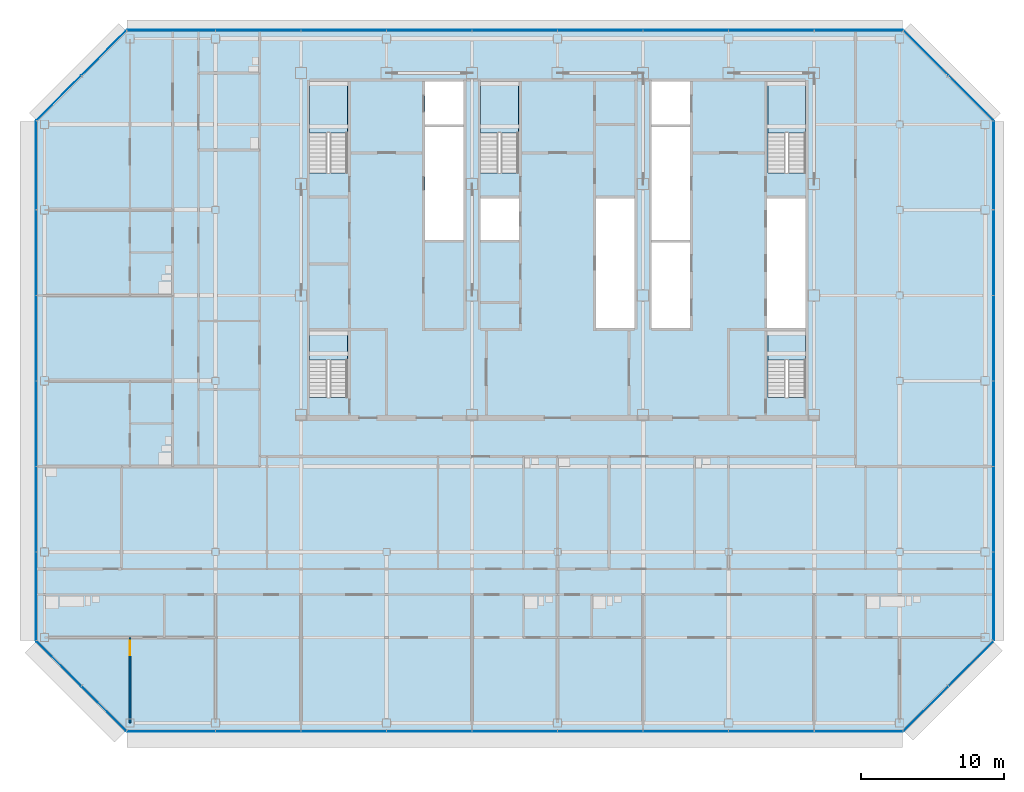
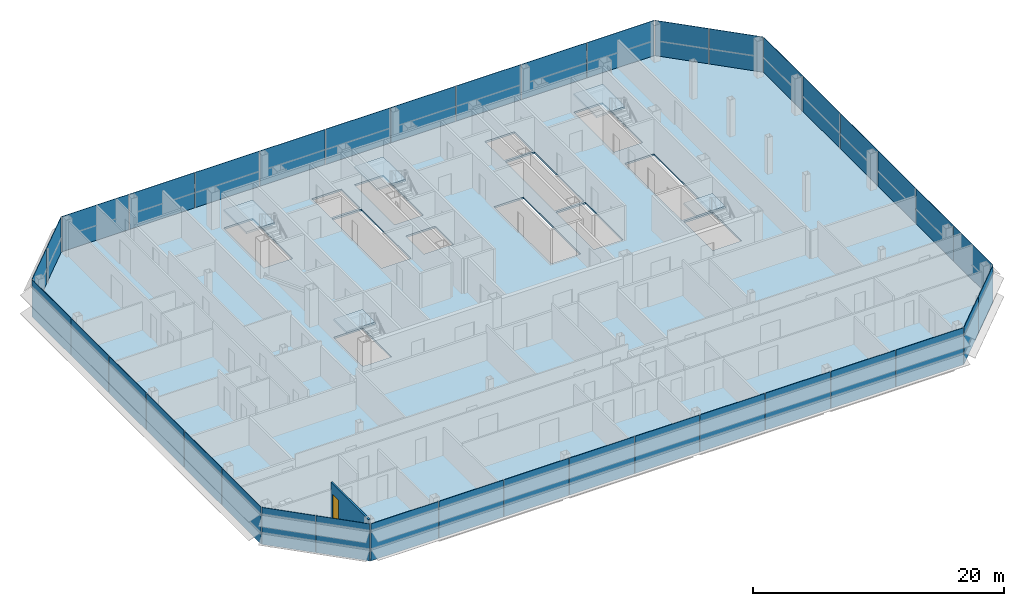
# One storey, part 20 of 28: 38 plates, 6 slabs, 1 door, 1 wall, 1 opening, 13 elements without a shape of their own.
"""IFC4 building model written with IfcOpenShell, lengths in metres."""

from ifc_helpers import new_model, si_unit, direction, frame, frame_2d, origin, origin_2d, place, context, subcontext, project, spatial, polyline, rectangle, outline, extrude, material, layer, layer_set, type_object, element, fill, aggregate, save


model = new_model("IFC4")

# Units and contexts
model_context = context("Model", 3, precision=1e-05, world=origin(), true_north=direction((0.0, 1.0)))
body_context = subcontext(model_context, "Body", "Model", "MODEL_VIEW")
ifc_project = project(units=[si_unit("LENGTHUNIT", "METRE"), si_unit("AREAUNIT", "SQUARE_METRE"), si_unit("VOLUMEUNIT", "CUBIC_METRE"), si_unit("PLANEANGLEUNIT", "RADIAN"), si_unit("MASSUNIT", "GRAM", prefix="KILO")], contexts=[model_context])

# Site, building, storey
site_placement = place(None, origin())
site = spatial("IfcSite", under=ifc_project, at=site_placement, CompositionType="ELEMENT")
building_placement = place(site_placement, origin())
building = spatial("IfcBuilding", under=site, at=building_placement, Name="Sorahane Residences", CompositionType="ELEMENT")
storey_placement = place(building_placement, frame((0.0, 0.0, 273.800048828125)))
storey = spatial("IfcBuildingStorey", under=building, at=storey_placement, Name="L65", CompositionType="ELEMENT", Elevation=273.800048828125)

# Slab
ifc_material_1 = material(Name="Concrete C35", Category="concrete")
ifc_layer_1 = layer(ifc_material_1, 0.179931640625)
ifc_layer_set_1 = layer_set([ifc_layer_1], Name="Composite floor slab 180 mm Concrete C35")
slab_type_1 = type_object("IfcSlabType", Name="Composite floor slab 180 mm Concrete C35", PredefinedType="FLOOR", material=ifc_layer_set_1)
slab_1_placement = place(storey_placement, frame((0.0, 0.0, -0.179931640625)))
element("IfcSlab", 1, at=slab_1_placement, inside=storey, type_object=slab_type_1, Name="Slab L65", PredefinedType="FLOOR", context=body_context, shape_type="SweptSolid", body=[
    extrude(outline(polyline([(-6.24853515625, -0.60009765625), (-12.60009765625, 5.75146484375), (-12.60009765625, 42.24853515625), (-6.24853515625, 48.60009765625), (48.24853515625, 48.60009765625), (54.60009765625, 42.24853515625), (54.60009765625, 5.75146484375), (48.24853515625, -0.60009765625), (-6.24853515625, -0.60009765625)]), holes=[polyline([(38.699951171875, 27.699951171875), (41.39990234375, 27.699951171875), (41.39990234375, 36.800048828125), (38.699951171875, 36.800048828125), (38.699951171875, 27.699951171875)]), polyline([(30.60009765625, 27.699951171875), (33.300048828125, 27.699951171875), (33.300048828125, 33.699951171875), (30.60009765625, 33.699951171875), (30.60009765625, 27.699951171875)]), polyline([(30.60009765625, 42.0), (33.300048828125, 42.0), (33.300048828125, 45.0), (30.60009765625, 45.0), (30.60009765625, 42.0)]), polyline([(14.699951171875, 42.0), (17.39990234375, 42.0), (17.39990234375, 45.0), (14.699951171875, 45.0), (14.699951171875, 42.0)]), polyline([(9.25, 38.60009765625), (9.25, 45.0), (6.60009765625, 45.0), (6.60009765625, 38.60009765625), (9.25, 38.60009765625)]), polyline([(41.39990234375, 38.60009765625), (41.39990234375, 45.0), (38.75, 45.0), (38.75, 38.60009765625), (41.39990234375, 38.60009765625)]), polyline([(21.25, 38.60009765625), (21.25, 45.0), (18.60009765625, 45.0), (18.60009765625, 38.60009765625), (21.25, 38.60009765625)]), polyline([(9.25, 22.85009765625), (9.25, 27.5), (6.60009765625, 27.5), (6.60009765625, 22.85009765625), (9.25, 22.85009765625)]), polyline([(41.39990234375, 22.85009765625), (41.39990234375, 27.5), (38.75, 27.5), (38.75, 22.85009765625), (41.39990234375, 22.85009765625)]), polyline([(14.699951171875, 33.89990234375), (17.39990234375, 33.89990234375), (17.39990234375, 41.800048828125), (14.699951171875, 41.800048828125), (14.699951171875, 33.89990234375)]), polyline([(30.60009765625, 33.89990234375), (33.300048828125, 33.89990234375), (33.300048828125, 41.800048828125), (30.60009765625, 41.800048828125), (30.60009765625, 33.89990234375)]), polyline([(18.60009765625, 33.89990234375), (21.300048828125, 33.89990234375), (21.300048828125, 36.800048828125), (18.60009765625, 36.800048828125), (18.60009765625, 33.89990234375)]), polyline([(26.699951171875, 27.699951171875), (29.39990234375, 27.699951171875), (29.39990234375, 36.800048828125), (26.699951171875, 36.800048828125), (26.699951171875, 27.699951171875)])]), origin(), (0.0, 0.0, 1.0), 0.179931640625),
])

# Curtain wall, plates
ifc_material_2 = material(Name="Dark low-e glass and black anodised aluminium", Category="aluminium")
curtain_wall_type_1 = type_object("IfcCurtainWallType", Name="Curtain wall CW-1 Typical unitised wall", PredefinedType="NOTDEFINED", material=ifc_material_2)
curtain_wall_1_placement = place(storey_placement, origin())
curtain_wall_1 = element("IfcCurtainWall", 2, at=curtain_wall_1_placement, inside=storey, type_object=curtain_wall_type_1, Name="CW-1 curtain wall L65 S1", PredefinedType="NOTDEFINED")
ifc_material_3 = material(Name="Dark low-e glass with black ceramic frit", Category="glass")
ifc_layer_2 = layer(ifc_material_3, 0.0400390625)
ifc_layer_set_2 = layer_set([ifc_layer_2], Name="Curtain wall glass panel dark low-e with black frit spandrel band")
plate_type = type_object("IfcPlateType", Name="Curtain wall glass panel dark low-e with black frit spandrel band", PredefinedType="CURTAIN_PANEL", material=ifc_layer_set_2)
plate_1_placement = place(storey_placement, frame((-3.11181640625, -0.60009765625, -0.18017578125), z_axis=(0.0, 0.0, 1.0), x_axis=(1.0, 0.0, 0.0)))
plate_1 = element("IfcPlate", 3, at=plate_1_placement, type_object=plate_type, Name="CW-1 glass panel L65 S1.1", PredefinedType="CURTAIN_PANEL", context=body_context, shape_type="SweptSolid", body=[
    extrude(rectangle(XDim=6.173583984375, YDim=0.0400390625, at=origin_2d()), origin(), (0.0, 0.0, 1.0), 3.60009765625),
])
plate_2_placement = place(storey_placement, frame((3.0, -0.60009765625, -0.18017578125), z_axis=(0.0, 0.0, 1.0), x_axis=(1.0, 0.0, 0.0)))
plate_2 = element("IfcPlate", 4, at=plate_2_placement, type_object=plate_type, Name="CW-1 glass panel L65 S1.2", PredefinedType="CURTAIN_PANEL", context=body_context, shape_type="SweptSolid", body=[
    extrude(rectangle(XDim=5.949951171875, YDim=0.0400390625, at=origin_2d()), origin(), (0.0, 0.0, 1.0), 3.60009765625),
])
plate_3_placement = place(storey_placement, frame((9.0, -0.60009765625, -0.18017578125), z_axis=(0.0, 0.0, 1.0), x_axis=(1.0, 0.0, 0.0)))
plate_3 = element("IfcPlate", 5, at=plate_3_placement, type_object=plate_type, Name="CW-1 glass panel L65 S1.3", PredefinedType="CURTAIN_PANEL", context=body_context, shape_type="SweptSolid", body=[
    extrude(rectangle(XDim=5.949951171875, YDim=0.0400390625, at=origin_2d()), origin(), (0.0, 0.0, 1.0), 3.60009765625),
])
plate_4_placement = place(storey_placement, frame((15.0, -0.60009765625, -0.18017578125), z_axis=(0.0, 0.0, 1.0), x_axis=(1.0, 0.0, 0.0)))
plate_4 = element("IfcPlate", 6, at=plate_4_placement, type_object=plate_type, Name="CW-1 glass panel L65 S1.4", PredefinedType="CURTAIN_PANEL", context=body_context, shape_type="SweptSolid", body=[
    extrude(rectangle(XDim=5.949951171875, YDim=0.0400390625, at=origin_2d()), origin(), (0.0, 0.0, 1.0), 3.60009765625),
])
plate_5_placement = place(storey_placement, frame((21.0, -0.60009765625, -0.18017578125), z_axis=(0.0, 0.0, 1.0), x_axis=(1.0, 0.0, 0.0)))
plate_5 = element("IfcPlate", 7, at=plate_5_placement, type_object=plate_type, Name="CW-1 glass panel L65 S1.5", PredefinedType="CURTAIN_PANEL", context=body_context, shape_type="SweptSolid", body=[
    extrude(rectangle(XDim=5.949951171875, YDim=0.0400390625, at=origin_2d()), origin(), (0.0, 0.0, 1.0), 3.60009765625),
])
plate_6_placement = place(storey_placement, frame((27.0, -0.60009765625, -0.18017578125), z_axis=(0.0, 0.0, 1.0), x_axis=(1.0, 0.0, 0.0)))
plate_6 = element("IfcPlate", 8, at=plate_6_placement, type_object=plate_type, Name="CW-1 glass panel L65 S1.6", PredefinedType="CURTAIN_PANEL", context=body_context, shape_type="SweptSolid", body=[
    extrude(rectangle(XDim=5.949951171875, YDim=0.0400390625, at=origin_2d()), origin(), (0.0, 0.0, 1.0), 3.60009765625),
])
plate_7_placement = place(storey_placement, frame((33.0, -0.60009765625, -0.18017578125), z_axis=(0.0, 0.0, 1.0), x_axis=(1.0, 0.0, 0.0)))
plate_7 = element("IfcPlate", 9, at=plate_7_placement, type_object=plate_type, Name="CW-1 glass panel L65 S1.7", PredefinedType="CURTAIN_PANEL", context=body_context, shape_type="SweptSolid", body=[
    extrude(rectangle(XDim=5.949951171875, YDim=0.0400390625, at=origin_2d()), origin(), (0.0, 0.0, 1.0), 3.60009765625),
])
plate_8_placement = place(storey_placement, frame((39.0, -0.60009765625, -0.18017578125), z_axis=(0.0, 0.0, 1.0), x_axis=(1.0, 0.0, 0.0)))
plate_8 = element("IfcPlate", 10, at=plate_8_placement, type_object=plate_type, Name="CW-1 glass panel L65 S1.8", PredefinedType="CURTAIN_PANEL", context=body_context, shape_type="SweptSolid", body=[
    extrude(rectangle(XDim=5.949951171875, YDim=0.0400390625, at=origin_2d()), origin(), (0.0, 0.0, 1.0), 3.60009765625),
])
plate_9_placement = place(storey_placement, frame((45.11181640625, -0.60009765625, -0.18017578125), z_axis=(0.0, 0.0, 1.0), x_axis=(1.0, 0.0, 0.0)))
plate_9 = element("IfcPlate", 11, at=plate_9_placement, type_object=plate_type, Name="CW-1 glass panel L65 S1.9", PredefinedType="CURTAIN_PANEL", context=body_context, shape_type="SweptSolid", body=[
    extrude(rectangle(XDim=6.173583984375, YDim=0.0400390625, at=origin_2d()), origin(), (0.0, 0.0, 1.0), 3.60009765625),
])
aggregate(curtain_wall_1, [plate_1, plate_2, plate_3, plate_4, plate_5, plate_6, plate_7, plate_8, plate_9])

ifc_material_4 = material(Name="Dark low-e glass and black anodised aluminium", Category="aluminium")
curtain_wall_type_2 = type_object("IfcCurtainWallType", Name="Curtain wall CW-2 Chamfer unitised wall", PredefinedType="NOTDEFINED", material=ifc_material_4)
curtain_wall_2_placement = place(storey_placement, origin())
curtain_wall_2 = element("IfcCurtainWall", 12, at=curtain_wall_2_placement, inside=storey, type_object=curtain_wall_type_2, Name="CW-2 curtain wall L65 SE1", PredefinedType="NOTDEFINED")
plate_10_placement = place(storey_placement, frame((49.84521484375, 0.996826171875, -0.18017578125), z_axis=(0.0, 0.0, 1.0), x_axis=(0.707106781187, 0.707106781187, 0.0)))
plate_10 = element("IfcPlate", 13, at=plate_10_placement, type_object=plate_type, Name="CW-2 glass panel L65 SE1.1", PredefinedType="CURTAIN_PANEL", context=body_context, shape_type="SweptSolid", body=[
    extrude(rectangle(XDim=4.416259765625, YDim=0.0400390625, at=origin_2d()), origin(), (0.0, 0.0, 1.0), 3.60009765625),
])
plate_11_placement = place(storey_placement, frame((53.003173828125, 4.15478515625, -0.18017578125), z_axis=(0.0, 0.0, 1.0), x_axis=(0.707106781187, 0.707106781187, 0.0)))
plate_11 = element("IfcPlate", 14, at=plate_11_placement, type_object=plate_type, Name="CW-2 glass panel L65 SE1.2", PredefinedType="CURTAIN_PANEL", context=body_context, shape_type="SweptSolid", body=[
    extrude(rectangle(XDim=4.416259765625, YDim=0.0400390625, at=origin_2d()), origin(), (0.0, 0.0, 1.0), 3.60009765625),
])
aggregate(curtain_wall_2, [plate_10, plate_11])

curtain_wall_3_placement = place(storey_placement, origin())
curtain_wall_3 = element("IfcCurtainWall", 15, at=curtain_wall_3_placement, inside=storey, type_object=curtain_wall_type_1, Name="CW-1 curtain wall L65 E1", PredefinedType="NOTDEFINED")
plate_12_placement = place(storey_placement, frame((54.60009765625, 8.88818359375, -0.18017578125), z_axis=(0.0, 0.0, 1.0), x_axis=(0.0, 1.0, 0.0)))
plate_12 = element("IfcPlate", 16, at=plate_12_placement, type_object=plate_type, Name="CW-1 glass panel L65 E1.1", PredefinedType="CURTAIN_PANEL", context=body_context, shape_type="SweptSolid", body=[
    extrude(rectangle(XDim=6.173583984375, YDim=0.0400390625, at=origin_2d()), origin(), (0.0, 0.0, 1.0), 3.60009765625),
])
plate_13_placement = place(storey_placement, frame((54.60009765625, 15.0, -0.18017578125), z_axis=(0.0, 0.0, 1.0), x_axis=(0.0, 1.0, 0.0)))
plate_13 = element("IfcPlate", 17, at=plate_13_placement, type_object=plate_type, Name="CW-1 glass panel L65 E1.2", PredefinedType="CURTAIN_PANEL", context=body_context, shape_type="SweptSolid", body=[
    extrude(rectangle(XDim=5.949951171875, YDim=0.0400390625, at=origin_2d()), origin(), (0.0, 0.0, 1.0), 3.60009765625),
])
plate_14_placement = place(storey_placement, frame((54.60009765625, 21.0, -0.18017578125), z_axis=(0.0, 0.0, 1.0), x_axis=(0.0, 1.0, 0.0)))
plate_14 = element("IfcPlate", 18, at=plate_14_placement, type_object=plate_type, Name="CW-1 glass panel L65 E1.3", PredefinedType="CURTAIN_PANEL", context=body_context, shape_type="SweptSolid", body=[
    extrude(rectangle(XDim=5.949951171875, YDim=0.0400390625, at=origin_2d()), origin(), (0.0, 0.0, 1.0), 3.60009765625),
])
plate_15_placement = place(storey_placement, frame((54.60009765625, 27.0, -0.18017578125), z_axis=(0.0, 0.0, 1.0), x_axis=(0.0, 1.0, 0.0)))
plate_15 = element("IfcPlate", 19, at=plate_15_placement, type_object=plate_type, Name="CW-1 glass panel L65 E1.4", PredefinedType="CURTAIN_PANEL", context=body_context, shape_type="SweptSolid", body=[
    extrude(rectangle(XDim=5.949951171875, YDim=0.0400390625, at=origin_2d()), origin(), (0.0, 0.0, 1.0), 3.60009765625),
])
plate_16_placement = place(storey_placement, frame((54.60009765625, 33.0, -0.18017578125), z_axis=(0.0, 0.0, 1.0), x_axis=(0.0, 1.0, 0.0)))
plate_16 = element("IfcPlate", 20, at=plate_16_placement, type_object=plate_type, Name="CW-1 glass panel L65 E1.5", PredefinedType="CURTAIN_PANEL", context=body_context, shape_type="SweptSolid", body=[
    extrude(rectangle(XDim=5.949951171875, YDim=0.0400390625, at=origin_2d()), origin(), (0.0, 0.0, 1.0), 3.60009765625),
])
plate_17_placement = place(storey_placement, frame((54.60009765625, 39.11181640625, -0.18017578125), z_axis=(0.0, 0.0, 1.0), x_axis=(0.0, 1.0, 0.0)))
plate_17 = element("IfcPlate", 21, at=plate_17_placement, type_object=plate_type, Name="CW-1 glass panel L65 E1.6", PredefinedType="CURTAIN_PANEL", context=body_context, shape_type="SweptSolid", body=[
    extrude(rectangle(XDim=6.173583984375, YDim=0.0400390625, at=origin_2d()), origin(), (0.0, 0.0, 1.0), 3.60009765625),
])
aggregate(curtain_wall_3, [plate_12, plate_13, plate_14, plate_15, plate_16, plate_17])

curtain_wall_4_placement = place(storey_placement, origin())
curtain_wall_4 = element("IfcCurtainWall", 22, at=curtain_wall_4_placement, inside=storey, type_object=curtain_wall_type_2, Name="CW-2 curtain wall L65 NE1", PredefinedType="NOTDEFINED")
plate_18_placement = place(storey_placement, frame((53.003173828125, 43.84521484375, -0.18017578125), z_axis=(0.0, 0.0, 1.0), x_axis=(-0.707106781187, 0.707106781187, 0.0)))
plate_18 = element("IfcPlate", 23, at=plate_18_placement, type_object=plate_type, Name="CW-2 glass panel L65 NE1.1", PredefinedType="CURTAIN_PANEL", context=body_context, shape_type="SweptSolid", body=[
    extrude(rectangle(XDim=4.416259765625, YDim=0.0400390625, at=origin_2d()), origin(), (0.0, 0.0, 1.0), 3.60009765625),
])
plate_19_placement = place(storey_placement, frame((49.84521484375, 47.003173828125, -0.18017578125), z_axis=(0.0, 0.0, 1.0), x_axis=(-0.707106781187, 0.707106781187, 0.0)))
plate_19 = element("IfcPlate", 24, at=plate_19_placement, type_object=plate_type, Name="CW-2 glass panel L65 NE1.2", PredefinedType="CURTAIN_PANEL", context=body_context, shape_type="SweptSolid", body=[
    extrude(rectangle(XDim=4.416259765625, YDim=0.0400390625, at=origin_2d()), origin(), (0.0, 0.0, 1.0), 3.60009765625),
])
aggregate(curtain_wall_4, [plate_18, plate_19])

curtain_wall_5_placement = place(storey_placement, origin())
curtain_wall_5 = element("IfcCurtainWall", 25, at=curtain_wall_5_placement, inside=storey, type_object=curtain_wall_type_1, Name="CW-1 curtain wall L65 N1", PredefinedType="NOTDEFINED")
plate_20_placement = place(storey_placement, frame((45.11181640625, 48.60009765625, -0.18017578125), z_axis=(0.0, 0.0, 1.0), x_axis=(-1.0, 0.0, 0.0)))
plate_20 = element("IfcPlate", 26, at=plate_20_placement, type_object=plate_type, Name="CW-1 glass panel L65 N1.1", PredefinedType="CURTAIN_PANEL", context=body_context, shape_type="SweptSolid", body=[
    extrude(rectangle(XDim=6.173583984375, YDim=0.0400390625, at=origin_2d()), origin(), (0.0, 0.0, 1.0), 3.60009765625),
])
plate_21_placement = place(storey_placement, frame((39.0, 48.60009765625, -0.18017578125), z_axis=(0.0, 0.0, 1.0), x_axis=(-1.0, 0.0, 0.0)))
plate_21 = element("IfcPlate", 27, at=plate_21_placement, type_object=plate_type, Name="CW-1 glass panel L65 N1.2", PredefinedType="CURTAIN_PANEL", context=body_context, shape_type="SweptSolid", body=[
    extrude(rectangle(XDim=5.949951171875, YDim=0.0400390625, at=origin_2d()), origin(), (0.0, 0.0, 1.0), 3.60009765625),
])
plate_22_placement = place(storey_placement, frame((33.0, 48.60009765625, -0.18017578125), z_axis=(0.0, 0.0, 1.0), x_axis=(-1.0, 0.0, 0.0)))
plate_22 = element("IfcPlate", 28, at=plate_22_placement, type_object=plate_type, Name="CW-1 glass panel L65 N1.3", PredefinedType="CURTAIN_PANEL", context=body_context, shape_type="SweptSolid", body=[
    extrude(rectangle(XDim=5.949951171875, YDim=0.0400390625, at=origin_2d()), origin(), (0.0, 0.0, 1.0), 3.60009765625),
])
plate_23_placement = place(storey_placement, frame((27.0, 48.60009765625, -0.18017578125), z_axis=(0.0, 0.0, 1.0), x_axis=(-1.0, 0.0, 0.0)))
plate_23 = element("IfcPlate", 29, at=plate_23_placement, type_object=plate_type, Name="CW-1 glass panel L65 N1.4", PredefinedType="CURTAIN_PANEL", context=body_context, shape_type="SweptSolid", body=[
    extrude(rectangle(XDim=5.949951171875, YDim=0.0400390625, at=origin_2d()), origin(), (0.0, 0.0, 1.0), 3.60009765625),
])
plate_24_placement = place(storey_placement, frame((21.0, 48.60009765625, -0.18017578125), z_axis=(0.0, 0.0, 1.0), x_axis=(-1.0, 0.0, 0.0)))
plate_24 = element("IfcPlate", 30, at=plate_24_placement, type_object=plate_type, Name="CW-1 glass panel L65 N1.5", PredefinedType="CURTAIN_PANEL", context=body_context, shape_type="SweptSolid", body=[
    extrude(rectangle(XDim=5.949951171875, YDim=0.0400390625, at=origin_2d()), origin(), (0.0, 0.0, 1.0), 3.60009765625),
])
plate_25_placement = place(storey_placement, frame((15.0, 48.60009765625, -0.18017578125), z_axis=(0.0, 0.0, 1.0), x_axis=(-1.0, 0.0, 0.0)))
plate_25 = element("IfcPlate", 31, at=plate_25_placement, type_object=plate_type, Name="CW-1 glass panel L65 N1.6", PredefinedType="CURTAIN_PANEL", context=body_context, shape_type="SweptSolid", body=[
    extrude(rectangle(XDim=5.949951171875, YDim=0.0400390625, at=origin_2d()), origin(), (0.0, 0.0, 1.0), 3.60009765625),
])
plate_26_placement = place(storey_placement, frame((9.0, 48.60009765625, -0.18017578125), z_axis=(0.0, 0.0, 1.0), x_axis=(-1.0, 0.0, 0.0)))
plate_26 = element("IfcPlate", 32, at=plate_26_placement, type_object=plate_type, Name="CW-1 glass panel L65 N1.7", PredefinedType="CURTAIN_PANEL", context=body_context, shape_type="SweptSolid", body=[
    extrude(rectangle(XDim=5.949951171875, YDim=0.0400390625, at=origin_2d()), origin(), (0.0, 0.0, 1.0), 3.60009765625),
])
plate_27_placement = place(storey_placement, frame((3.0, 48.60009765625, -0.18017578125), z_axis=(0.0, 0.0, 1.0), x_axis=(-1.0, 0.0, 0.0)))
plate_27 = element("IfcPlate", 33, at=plate_27_placement, type_object=plate_type, Name="CW-1 glass panel L65 N1.8", PredefinedType="CURTAIN_PANEL", context=body_context, shape_type="SweptSolid", body=[
    extrude(rectangle(XDim=5.949951171875, YDim=0.0400390625, at=origin_2d()), origin(), (0.0, 0.0, 1.0), 3.60009765625),
])
plate_28_placement = place(storey_placement, frame((-3.11181640625, 48.60009765625, -0.18017578125), z_axis=(0.0, 0.0, 1.0), x_axis=(-1.0, 0.0, 0.0)))
plate_28 = element("IfcPlate", 34, at=plate_28_placement, type_object=plate_type, Name="CW-1 glass panel L65 N1.9", PredefinedType="CURTAIN_PANEL", context=body_context, shape_type="SweptSolid", body=[
    extrude(rectangle(XDim=6.173583984375, YDim=0.0400390625, at=origin_2d()), origin(), (0.0, 0.0, 1.0), 3.60009765625),
])
aggregate(curtain_wall_5, [plate_20, plate_21, plate_22, plate_23, plate_24, plate_25, plate_26, plate_27, plate_28])

curtain_wall_6_placement = place(storey_placement, origin())
curtain_wall_6 = element("IfcCurtainWall", 35, at=curtain_wall_6_placement, inside=storey, type_object=curtain_wall_type_2, Name="CW-2 curtain wall L65 NW1", PredefinedType="NOTDEFINED")
plate_29_placement = place(storey_placement, frame((-7.84521484375, 47.003173828125, -0.18017578125), z_axis=(0.0, 0.0, 1.0), x_axis=(-0.707106781187, -0.707106781187, 0.0)))
plate_29 = element("IfcPlate", 36, at=plate_29_placement, type_object=plate_type, Name="CW-2 glass panel L65 NW1.1", PredefinedType="CURTAIN_PANEL", context=body_context, shape_type="SweptSolid", body=[
    extrude(rectangle(XDim=4.416259765625, YDim=0.0400390625, at=origin_2d()), origin(), (0.0, 0.0, 1.0), 3.60009765625),
])
plate_30_placement = place(storey_placement, frame((-11.003173828125, 43.84521484375, -0.18017578125), z_axis=(0.0, 0.0, 1.0), x_axis=(-0.707106781187, -0.707106781187, 0.0)))
plate_30 = element("IfcPlate", 37, at=plate_30_placement, type_object=plate_type, Name="CW-2 glass panel L65 NW1.2", PredefinedType="CURTAIN_PANEL", context=body_context, shape_type="SweptSolid", body=[
    extrude(rectangle(XDim=4.416259765625, YDim=0.0400390625, at=origin_2d()), origin(), (0.0, 0.0, 1.0), 3.60009765625),
])
aggregate(curtain_wall_6, [plate_29, plate_30])

curtain_wall_7_placement = place(storey_placement, origin())
curtain_wall_7 = element("IfcCurtainWall", 38, at=curtain_wall_7_placement, inside=storey, type_object=curtain_wall_type_1, Name="CW-1 curtain wall L65 W1", PredefinedType="NOTDEFINED")
plate_31_placement = place(storey_placement, frame((-12.60009765625, 39.11181640625, -0.18017578125), z_axis=(0.0, 0.0, 1.0), x_axis=(0.0, -1.0, 0.0)))
plate_31 = element("IfcPlate", 39, at=plate_31_placement, type_object=plate_type, Name="CW-1 glass panel L65 W1.1", PredefinedType="CURTAIN_PANEL", context=body_context, shape_type="SweptSolid", body=[
    extrude(rectangle(XDim=6.173583984375, YDim=0.0400390625, at=origin_2d()), origin(), (0.0, 0.0, 1.0), 3.60009765625),
])
plate_32_placement = place(storey_placement, frame((-12.60009765625, 33.0, -0.18017578125), z_axis=(0.0, 0.0, 1.0), x_axis=(0.0, -1.0, 0.0)))
plate_32 = element("IfcPlate", 40, at=plate_32_placement, type_object=plate_type, Name="CW-1 glass panel L65 W1.2", PredefinedType="CURTAIN_PANEL", context=body_context, shape_type="SweptSolid", body=[
    extrude(rectangle(XDim=5.949951171875, YDim=0.0400390625, at=origin_2d()), origin(), (0.0, 0.0, 1.0), 3.60009765625),
])
plate_33_placement = place(storey_placement, frame((-12.60009765625, 27.0, -0.18017578125), z_axis=(0.0, 0.0, 1.0), x_axis=(0.0, -1.0, 0.0)))
plate_33 = element("IfcPlate", 41, at=plate_33_placement, type_object=plate_type, Name="CW-1 glass panel L65 W1.3", PredefinedType="CURTAIN_PANEL", context=body_context, shape_type="SweptSolid", body=[
    extrude(rectangle(XDim=5.949951171875, YDim=0.0400390625, at=origin_2d()), origin(), (0.0, 0.0, 1.0), 3.60009765625),
])
plate_34_placement = place(storey_placement, frame((-12.60009765625, 21.0, -0.18017578125), z_axis=(0.0, 0.0, 1.0), x_axis=(0.0, -1.0, 0.0)))
plate_34 = element("IfcPlate", 42, at=plate_34_placement, type_object=plate_type, Name="CW-1 glass panel L65 W1.4", PredefinedType="CURTAIN_PANEL", context=body_context, shape_type="SweptSolid", body=[
    extrude(rectangle(XDim=5.949951171875, YDim=0.0400390625, at=origin_2d()), origin(), (0.0, 0.0, 1.0), 3.60009765625),
])
plate_35_placement = place(storey_placement, frame((-12.60009765625, 15.0, -0.18017578125), z_axis=(0.0, 0.0, 1.0), x_axis=(0.0, -1.0, 0.0)))
plate_35 = element("IfcPlate", 43, at=plate_35_placement, type_object=plate_type, Name="CW-1 glass panel L65 W1.5", PredefinedType="CURTAIN_PANEL", context=body_context, shape_type="SweptSolid", body=[
    extrude(rectangle(XDim=5.949951171875, YDim=0.0400390625, at=origin_2d()), origin(), (0.0, 0.0, 1.0), 3.60009765625),
])
plate_36_placement = place(storey_placement, frame((-12.60009765625, 8.88818359375, -0.18017578125), z_axis=(0.0, 0.0, 1.0), x_axis=(0.0, -1.0, 0.0)))
plate_36 = element("IfcPlate", 44, at=plate_36_placement, type_object=plate_type, Name="CW-1 glass panel L65 W1.6", PredefinedType="CURTAIN_PANEL", context=body_context, shape_type="SweptSolid", body=[
    extrude(rectangle(XDim=6.173583984375, YDim=0.0400390625, at=origin_2d()), origin(), (0.0, 0.0, 1.0), 3.60009765625),
])
aggregate(curtain_wall_7, [plate_31, plate_32, plate_33, plate_34, plate_35, plate_36])

curtain_wall_8_placement = place(storey_placement, origin())
curtain_wall_8 = element("IfcCurtainWall", 45, at=curtain_wall_8_placement, inside=storey, type_object=curtain_wall_type_2, Name="CW-2 curtain wall L65 SW1", PredefinedType="NOTDEFINED")
plate_37_placement = place(storey_placement, frame((-11.003173828125, 4.15478515625, -0.18017578125), z_axis=(0.0, 0.0, 1.0), x_axis=(0.707106781187, -0.707106781187, 0.0)))
plate_37 = element("IfcPlate", 46, at=plate_37_placement, type_object=plate_type, Name="CW-2 glass panel L65 SW1.1", PredefinedType="CURTAIN_PANEL", context=body_context, shape_type="SweptSolid", body=[
    extrude(rectangle(XDim=4.416259765625, YDim=0.0400390625, at=origin_2d()), origin(), (0.0, 0.0, 1.0), 3.60009765625),
])
plate_38_placement = place(storey_placement, frame((-7.84521484375, 0.996826171875, -0.18017578125), z_axis=(0.0, 0.0, 1.0), x_axis=(0.707106781187, -0.707106781187, 0.0)))
plate_38 = element("IfcPlate", 47, at=plate_38_placement, type_object=plate_type, Name="CW-2 glass panel L65 SW1.2", PredefinedType="CURTAIN_PANEL", context=body_context, shape_type="SweptSolid", body=[
    extrude(rectangle(XDim=4.416259765625, YDim=0.0400390625, at=origin_2d()), origin(), (0.0, 0.0, 1.0), 3.60009765625),
])
aggregate(curtain_wall_8, [plate_37, plate_38])

# Stair, slab
ifc_material_5 = material(Name="Concrete C40", Category="concrete")
stair_type = type_object("IfcStairType", Name="Dog-leg stair 1250 Concrete C40", PredefinedType="HALF_TURN_STAIR", material=ifc_material_5)
stair_1_placement = place(storey_placement, origin())
stair_1 = element("IfcStair", 48, at=stair_1_placement, inside=storey, type_object=stair_type, Name="L65 Stair S1", PredefinedType="HALF_TURN_STAIR")
ifc_material_6 = material(Name="Concrete C40", Category="concrete")
ifc_layer_3 = layer(ifc_material_6, 0.199951171875)
ifc_layer_set_3 = layer_set([ifc_layer_3], Name="Stair landing 200 Concrete C40")
slab_type_2 = type_object("IfcSlabType", Name="Stair landing 200 Concrete C40", PredefinedType="LANDING", material=ifc_layer_set_3)
slab_2_placement = place(storey_placement, frame((0.0, 0.0, 1.599853515625)))
slab_2 = element("IfcSlab", 49, at=slab_2_placement, type_object=slab_type_2, Name="S1 landing 1", PredefinedType="LANDING", context=body_context, shape_type="SweptSolid", body=[
    extrude(outline(polyline([(9.25, 41.39990234375), (9.25, 45.0), (6.60009765625, 45.0), (6.60009765625, 41.39990234375), (9.25, 41.39990234375)])), origin(), (0.0, 0.0, 1.0), 0.2001953125),
])
aggregate(stair_1, [slab_2])

stair_2_placement = place(storey_placement, origin())
stair_2 = element("IfcStair", 50, at=stair_2_placement, inside=storey, type_object=stair_type, Name="L65 Stair S2", PredefinedType="HALF_TURN_STAIR")
slab_3_placement = place(storey_placement, frame((0.0, 0.0, 1.599853515625)))
slab_3 = element("IfcSlab", 51, at=slab_3_placement, type_object=slab_type_2, Name="S2 landing 1", PredefinedType="LANDING", context=body_context, shape_type="SweptSolid", body=[
    extrude(outline(polyline([(41.39990234375, 41.39990234375), (41.39990234375, 45.0), (38.75, 45.0), (38.75, 41.39990234375), (41.39990234375, 41.39990234375)])), origin(), (0.0, 0.0, 1.0), 0.2001953125),
])
aggregate(stair_2, [slab_3])

stair_3_placement = place(storey_placement, origin())
stair_3 = element("IfcStair", 52, at=stair_3_placement, inside=storey, type_object=stair_type, Name="L65 Stair S3", PredefinedType="HALF_TURN_STAIR")
slab_4_placement = place(storey_placement, frame((0.0, 0.0, 1.599853515625)))
slab_4 = element("IfcSlab", 53, at=slab_4_placement, type_object=slab_type_2, Name="S3 landing 1", PredefinedType="LANDING", context=body_context, shape_type="SweptSolid", body=[
    extrude(outline(polyline([(21.25, 41.39990234375), (21.25, 45.0), (18.60009765625, 45.0), (18.60009765625, 41.39990234375), (21.25, 41.39990234375)])), origin(), (0.0, 0.0, 1.0), 0.2001953125),
])
aggregate(stair_3, [slab_4])

stair_4_placement = place(storey_placement, origin())
stair_4 = element("IfcStair", 54, at=stair_4_placement, inside=storey, type_object=stair_type, Name="L65 Stair S4", PredefinedType="HALF_TURN_STAIR")
slab_5_placement = place(storey_placement, frame((0.0, 0.0, 1.599853515625)))
slab_5 = element("IfcSlab", 55, at=slab_5_placement, type_object=slab_type_2, Name="S4 landing 1", PredefinedType="LANDING", context=body_context, shape_type="SweptSolid", body=[
    extrude(outline(polyline([(9.25, 25.449951171875), (9.25, 27.5), (6.60009765625, 27.5), (6.60009765625, 25.449951171875), (9.25, 25.449951171875)])), origin(), (0.0, 0.0, 1.0), 0.2001953125),
])
aggregate(stair_4, [slab_5])

stair_5_placement = place(storey_placement, origin())
stair_5 = element("IfcStair", 56, at=stair_5_placement, inside=storey, type_object=stair_type, Name="L65 Stair S5", PredefinedType="HALF_TURN_STAIR")
slab_6_placement = place(storey_placement, frame((0.0, 0.0, 1.599853515625)))
slab_6 = element("IfcSlab", 57, at=slab_6_placement, type_object=slab_type_2, Name="S5 landing 1", PredefinedType="LANDING", context=body_context, shape_type="SweptSolid", body=[
    extrude(outline(polyline([(41.39990234375, 25.449951171875), (41.39990234375, 27.5), (38.75, 27.5), (38.75, 25.449951171875), (41.39990234375, 25.449951171875)])), origin(), (0.0, 0.0, 1.0), 0.2001953125),
])
aggregate(stair_5, [slab_6])

# Wall, opening, door
ifc_material_7 = material(Name="Gypsum board partition on steel studs", Category="steel")
ifc_layer_4 = layer(ifc_material_7, 0.14990234375)
ifc_layer_set_4 = layer_set([ifc_layer_4], Name="Partition 150 EI 90")
wall_type = type_object("IfcWallType", Name="Partition 150 EI 90", PredefinedType="PARTITIONING", material=ifc_layer_set_4)
wall_placement = place(storey_placement, frame((-6.0, 0.0, 0.0), z_axis=(0.0, 0.0, 1.0), x_axis=(0.0, 1.0, 0.0)))
wall = element("IfcWall", 58, at=wall_placement, inside=storey, type_object=wall_type, Name="L65 partition", PredefinedType="PARTITIONING", context=body_context, shape_type="SweptSolid", body=[
    extrude(rectangle(XDim=6.0, YDim=0.14990234375, at=frame_2d((3.0, 0.0))), origin(), (0.0, 0.0, 1.0), 3.419921875),
])
opening_placement = place(wall_placement, frame((4.75, 0.0, 0.0)))
opening = element("IfcOpeningElement", 59, at=opening_placement, cuts=wall, Name="Opening L65-11", PredefinedType="OPENING", context=body_context, shape_type="SweptSolid", body=[
    extrude(rectangle(XDim=1.0, YDim=2.39990234375, at=frame_2d((0.5, 1.199951171875))), frame((0.0, 0.0849609375, 0.0), z_axis=(0.0, -1.0, 0.0), x_axis=(1.0, 0.0, 0.0)), (0.0, 0.0, 1.0), 0.169921875),
])
ifc_material_8 = material(Name="Timber veneered fire door", Category="wood")
door_type = type_object("IfcDoorType", Name="Room door 1000x2400 FD30", OperationType="NOTDEFINED", PredefinedType="DOOR", material=ifc_material_8)
door_placement = place(opening_placement, origin())
door = element("IfcDoor", 60, at=door_placement, inside=storey, type_object=door_type, Name="Room door L65-11", OperationType="SINGLE_SWING_LEFT", OverallHeight=2.39990234375, OverallWidth=1.0, PredefinedType="DOOR", context=body_context, shape_type="SweptSolid", body=[
    extrude(rectangle(XDim=1.0, YDim=2.39990234375, at=frame_2d((0.5, 1.199951171875))), frame((0.0, 0.02490234375, 0.0), z_axis=(0.0, -1.0, 0.0), x_axis=(1.0, 0.0, 0.0)), (0.0, 0.0, 1.0), 0.050048828125),
])
fill(opening, door)

save(model, "model.ifc")
